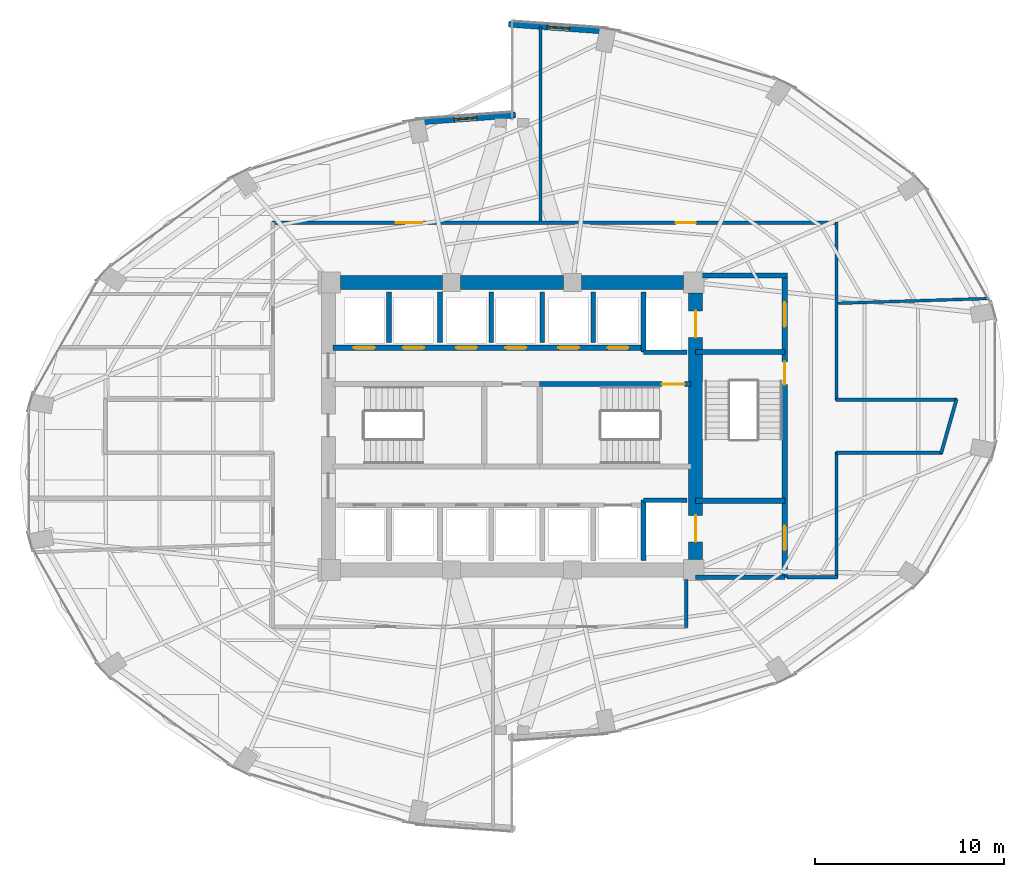
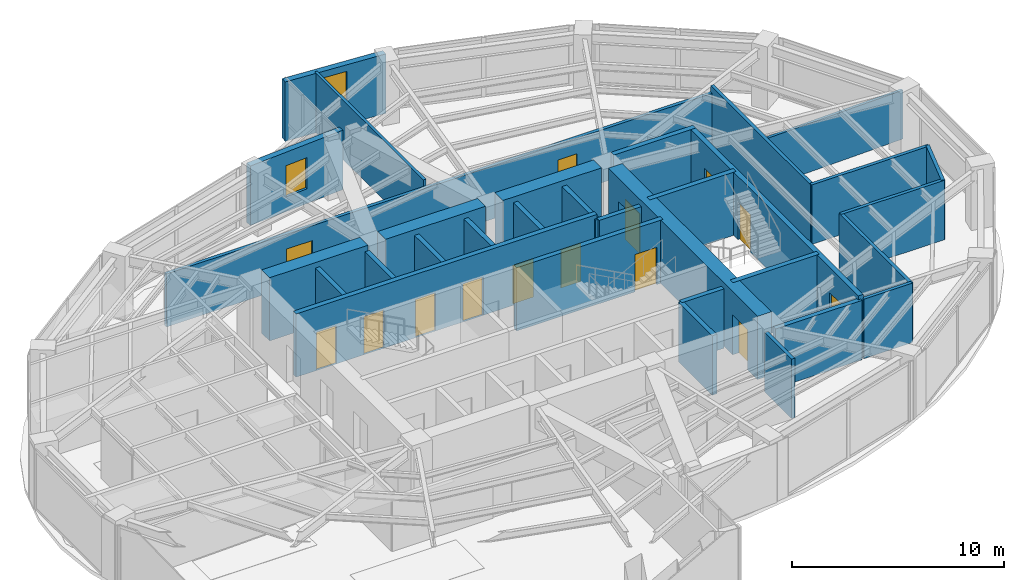
# One storey, part 21 of 24: 32 walls, 14 doors, 2 windows, 16 openings.
"""IFC4 building model written with IfcOpenShell, lengths in metres."""

from ifc_helpers import new_model, si_unit, direction, frame, frame_2d, origin, place, context, subcontext, project, spatial, rectangle, extrude, material, layer, layer_set, type_object, element, fill, save


model = new_model("IFC4")

# Units and contexts
model_context = context("Model", 3, precision=1e-05, world=origin(), true_north=direction((0.0, 1.0)))
body_context = subcontext(model_context, "Body", "Model", "MODEL_VIEW")
ifc_project = project(units=[si_unit("LENGTHUNIT", "METRE"), si_unit("AREAUNIT", "SQUARE_METRE"), si_unit("VOLUMEUNIT", "CUBIC_METRE"), si_unit("PLANEANGLEUNIT", "RADIAN"), si_unit("MASSUNIT", "GRAM", prefix="KILO")], contexts=[model_context])

# Site, building, storey
site_placement = place(None, origin())
site = spatial("IfcSite", under=ifc_project, at=site_placement, CompositionType="ELEMENT")
building_placement = place(site_placement, origin())
building = spatial("IfcBuilding", under=site, at=building_placement, Name="Lazwardi Medical Tower", CompositionType="ELEMENT")
storey_placement = place(building_placement, frame((0.0, 0.0, 99.98388671875)))
storey = spatial("IfcBuildingStorey", under=building, at=storey_placement, Name="L25", CompositionType="ELEMENT", Elevation=99.98388671875)

# Wall, openings, doors
ifc_material_1 = material(Name="Fire-rated gypsum board on steel stud", Category="steel")
ifc_layer_1 = layer(ifc_material_1, 0.179931640625)
ifc_layer_set_1 = layer_set([ifc_layer_1], Name="Fire-rated gypsum board on steel stud")
wall_type_1 = type_object("IfcWallType", Name="WL-COR-180", PredefinedType="PARTITIONING", material=ifc_layer_set_1)
wall_1_placement = place(storey_placement, frame((23.31005859375, 38.75, 0.0), z_axis=(0.0, 0.0, 1.0), x_axis=(1.0, 0.0, 0.0)))
wall_1 = element("IfcWall", 1, at=wall_1_placement, inside=storey, type_object=wall_type_1, Name="L25 Corridor partition 4", PredefinedType="PARTITIONING", context=body_context, shape_type="SweptSolid", body=[
    extrude(rectangle(XDim=29.8798828125, YDim=0.179931640625, at=frame_2d((14.93994140625, 0.0))), origin(), (0.0, 0.0, 1.0), 3.05322265625),
])
opening_1_placement = place(wall_1_placement, frame((21.35107421875, 0.0, 0.0)))
opening_1 = element("IfcOpeningElement", 2, at=opening_1_placement, cuts=wall_1, Name="Opening D-L25-009", PredefinedType="OPENING", context=body_context, shape_type="SweptSolid", body=[
    extrude(rectangle(XDim=1.050048828125, YDim=2.14990234375, at=frame_2d((0.52490234375, 1.074951171875))), frame((0.0, 0.099853515625, 0.0), z_axis=(0.0, -1.0, 0.0), x_axis=(1.0, 0.0, 0.0)), (0.0, 0.0, 1.0), 0.199951171875),
])
opening_2_placement = place(wall_1_placement, frame((6.553955078125, 0.0, 0.0)))
opening_2 = element("IfcOpeningElement", 3, at=opening_2_placement, cuts=wall_1, Name="Opening D-L25-010", PredefinedType="OPENING", context=body_context, shape_type="SweptSolid", body=[
    extrude(rectangle(XDim=1.39990234375, YDim=2.199951171875, at=frame_2d((0.699951171875, 1.10009765625))), frame((0.0, 0.099853515625, 0.0), z_axis=(0.0, -1.0, 0.0), x_axis=(1.0, 0.0, 0.0)), (0.0, 0.0, 1.0), 0.199951171875),
])
ifc_material_2 = material(Name="Anti-microbial laminate hospital leaf")
door_type_1 = type_object("IfcDoorType", Name="DR-BED-1400", OperationType="NOTDEFINED", PredefinedType="DOOR", material=ifc_material_2)
door_1_placement = place(opening_2_placement, origin())
door_1 = element("IfcDoor", 4, at=door_1_placement, inside=storey, type_object=door_type_1, Name="L25 Inpatient Ward Door 05", OperationType="SINGLE_SWING_LEFT", OverallHeight=2.199951171875, OverallWidth=1.39990234375, PredefinedType="DOOR", context=body_context, shape_type="SweptSolid", body=[
    extrude(rectangle(XDim=1.39990234375, YDim=2.199951171875, at=frame_2d((0.699951171875, 1.10009765625))), frame((0.0, 0.02490234375, 0.0), z_axis=(0.0, -1.0, 0.0), x_axis=(1.0, 0.0, 0.0)), (0.0, 0.0, 1.0), 0.050048828125),
])
fill(opening_2, door_1)
door_type_2 = type_object("IfcDoorType", Name="DR-CLN-1050", OperationType="NOTDEFINED", PredefinedType="DOOR", material=ifc_material_2)
door_2_placement = place(opening_1_placement, origin())
door_2 = element("IfcDoor", 5, at=door_2_placement, inside=storey, type_object=door_type_2, Name="L25 Medical Duty Staff Room Door 04", OperationType="SINGLE_SWING_RIGHT", OverallHeight=2.14990234375, OverallWidth=1.050048828125, PredefinedType="DOOR", context=body_context, shape_type="SweptSolid", body=[
    extrude(rectangle(XDim=1.050048828125, YDim=2.14990234375, at=frame_2d((0.52490234375, 1.074951171875))), frame((0.0, 0.02490234375, 0.0), z_axis=(0.0, -1.0, 0.0), x_axis=(1.0, 0.0, 0.0)), (0.0, 0.0, 1.0), 0.050048828125),
])
fill(opening_1, door_2)

# Walls
wall_2_placement = place(storey_placement, frame((53.14990234375, 38.7900390625, 0.0), z_axis=(0.0, 0.0, 1.0), x_axis=(0.0, -1.0, 0.0)))
element("IfcWall", 6, at=wall_2_placement, inside=storey, type_object=wall_type_1, Name="L25 Corridor partition 5", PredefinedType="PARTITIONING", context=body_context, shape_type="SweptSolid", body=[
    extrude(rectangle(XDim=9.429931640625, YDim=0.179931640625, at=frame_2d((4.71484375, 0.0))), origin(), (0.0, 0.0, 1.0), 3.42822265625),
])
wall_3_placement = place(storey_placement, frame((53.110107421875, 29.39990234375, 0.0), z_axis=(0.0, 0.0, 1.0), x_axis=(1.0, 0.0, 0.0)))
element("IfcWall", 7, at=wall_3_placement, inside=storey, type_object=wall_type_1, Name="L25 Corridor partition 6", PredefinedType="PARTITIONING", context=body_context, shape_type="SweptSolid", body=[
    extrude(rectangle(XDim=6.41259765625, YDim=0.179931640625, at=frame_2d((3.206298828125, 0.0))), origin(), (0.0, 0.0, 1.0), 3.42822265625),
])
wall_4_placement = place(storey_placement, frame((59.49365234375, 29.4384765625, 0.0), z_axis=(0.0, 0.0, 1.0), x_axis=(-0.273222154729, -0.961950962453, 0.0)))
element("IfcWall", 8, at=wall_4_placement, inside=storey, type_object=wall_type_1, Name="L25 Corridor partition 7", PredefinedType="PARTITIONING", context=body_context, shape_type="SweptSolid", body=[
    extrude(rectangle(XDim=2.99072265625, YDim=0.179931640625, at=frame_2d((1.495361328125, 0.0))), origin(), (0.0, 0.0, 1.0), 3.42822265625),
])
wall_5_placement = place(storey_placement, frame((58.727294921875, 26.60009765625, 0.0), z_axis=(0.0, 0.0, 1.0), x_axis=(-1.0, 0.0, 0.0)))
element("IfcWall", 9, at=wall_5_placement, inside=storey, type_object=wall_type_1, Name="L25 Corridor partition 8", PredefinedType="PARTITIONING", context=body_context, shape_type="SweptSolid", body=[
    extrude(rectangle(XDim=5.6171875, YDim=0.179931640625, at=frame_2d((2.80859375, 0.0))), origin(), (0.0, 0.0, 1.0), 3.42822265625),
])
wall_6_placement = place(storey_placement, frame((53.14990234375, 26.639892578125, 0.0), z_axis=(0.0, 0.0, 1.0), x_axis=(0.0, -1.0, 0.0)))
element("IfcWall", 10, at=wall_6_placement, inside=storey, type_object=wall_type_1, Name="L25 Corridor partition 9", PredefinedType="PARTITIONING", context=body_context, shape_type="SweptSolid", body=[
    extrude(rectangle(XDim=6.659912109375, YDim=0.179931640625, at=frame_2d((3.330078125, 0.0))), origin(), (0.0, 0.0, 1.0), 3.42822265625),
])
wall_7_placement = place(storey_placement, frame((53.18994140625, 20.02001953125, 0.0), z_axis=(0.0, 0.0, 1.0), x_axis=(-1.0, 0.0, 0.0)))
element("IfcWall", 11, at=wall_7_placement, inside=storey, type_object=wall_type_1, Name="L25 Corridor partition 10", PredefinedType="PARTITIONING", context=body_context, shape_type="SweptSolid", body=[
    extrude(rectangle(XDim=2.64990234375, YDim=0.179931640625, at=frame_2d((1.324951171875, 0.0))), origin(), (0.0, 0.0, 1.0), 3.42822265625),
])
wall_8_placement = place(storey_placement, frame((45.199951171875, 19.909912109375, 0.0), z_axis=(0.0, 0.0, 1.0), x_axis=(0.0, -1.0, 0.0)))
element("IfcWall", 12, at=wall_8_placement, inside=storey, type_object=wall_type_1, Name="L25 Corridor partition 13", PredefinedType="PARTITIONING", context=body_context, shape_type="SweptSolid", body=[
    extrude(rectangle(XDim=2.5498046875, YDim=0.179931640625, at=frame_2d((1.27490234375, 0.0))), origin(), (0.0, 0.0, 1.0), 3.42822265625),
])

# Wall, openings, doors
ifc_material_3 = material(Name="Concrete C70/85", Category="concrete")
ifc_layer_2 = layer(ifc_material_3, 0.75)
ifc_layer_set_2 = layer_set([ifc_layer_2], Name="Concrete C70/85")
wall_type_2 = type_object("IfcWallType", Name="WL-CORE-750", PredefinedType="SHEAR", material=ifc_layer_set_2)
wall_9_placement = place(storey_placement, frame((45.699951171875, 20.949951171875, 0.0), z_axis=(0.0, 0.0, 1.0), x_axis=(0.0, 1.0, 0.0)))
wall_9 = element("IfcWall", 13, at=wall_9_placement, inside=storey, type_object=wall_type_2, Name="Core wall CW-S2 east L25", PredefinedType="SHEAR", context=body_context, shape_type="SweptSolid", body=[
    extrude(rectangle(XDim=14.10009765625, YDim=0.75, at=frame_2d((7.050048828125, 0.0))), origin(), (0.0, 0.0, 1.0), 3.648193359375),
])
opening_3_placement = place(wall_9_placement, frame((11.75, 0.0, 0.0)))
opening_3 = element("IfcOpeningElement", 14, at=opening_3_placement, cuts=wall_9, Name="Opening LD-L25-001", PredefinedType="OPENING", context=body_context, shape_type="SweptSolid", body=[
    extrude(rectangle(XDim=1.39990234375, YDim=2.300048828125, at=frame_2d((0.699951171875, 1.14990234375))), frame((0.0, 0.385009765625, 0.0), z_axis=(0.0, -1.0, 0.0), x_axis=(1.0, 0.0, 0.0)), (0.0, 0.0, 1.0), 0.77001953125),
])
opening_4_placement = place(wall_9_placement, frame((0.949951171875, 0.0, 0.0)))
opening_4 = element("IfcOpeningElement", 15, at=opening_4_placement, cuts=wall_9, Name="Opening LD-L25-002", PredefinedType="OPENING", context=body_context, shape_type="SweptSolid", body=[
    extrude(rectangle(XDim=1.39990234375, YDim=2.300048828125, at=frame_2d((0.699951171875, 1.14990234375))), frame((0.0, 0.385009765625, 0.0), z_axis=(0.0, -1.0, 0.0), x_axis=(1.0, 0.0, 0.0)), (0.0, 0.0, 1.0), 0.77001953125),
])
ifc_material_4 = material(Name="Brushed stainless steel bed-lift landing door", Category="steel")
door_type_3 = type_object("IfcDoorType", Name="DR-LFT-1400", OperationType="NOTDEFINED", PredefinedType="DOOR", material=ifc_material_4)
door_3_placement = place(opening_3_placement, origin())
door_3 = element("IfcDoor", 16, at=door_3_placement, inside=storey, type_object=door_type_3, Name="L25 Lift Landing Door FL-01", OperationType="SLIDING_TO_LEFT", OverallHeight=2.300048828125, OverallWidth=1.39990234375, PredefinedType="DOOR", context=body_context, shape_type="SweptSolid", body=[
    extrude(rectangle(XDim=1.39990234375, YDim=2.300048828125, at=frame_2d((0.699951171875, 1.14990234375))), frame((0.0, 0.02490234375, 0.0), z_axis=(0.0, -1.0, 0.0), x_axis=(1.0, 0.0, 0.0)), (0.0, 0.0, 1.0), 0.050048828125),
])
fill(opening_3, door_3)
door_4_placement = place(opening_4_placement, origin())
door_4 = element("IfcDoor", 17, at=door_4_placement, inside=storey, type_object=door_type_3, Name="L25 Lift Landing Door FL-02", OperationType="SLIDING_TO_LEFT", OverallHeight=2.300048828125, OverallWidth=1.39990234375, PredefinedType="DOOR", context=body_context, shape_type="SweptSolid", body=[
    extrude(rectangle(XDim=1.39990234375, YDim=2.300048828125, at=frame_2d((0.699951171875, 1.14990234375))), frame((0.0, 0.02490234375, 0.0), z_axis=(0.0, -1.0, 0.0), x_axis=(1.0, 0.0, 0.0)), (0.0, 0.0, 1.0), 0.050048828125),
])
fill(opening_4, door_4)

# Walls
wall_10_placement = place(storey_placement, frame((26.949951171875, 35.60009765625, 0.0), z_axis=(0.0, 0.0, 1.0), x_axis=(1.0, 0.0, 0.0)))
element("IfcWall", 18, at=wall_10_placement, inside=storey, type_object=wall_type_2, Name="Core wall CW-S2 N1 L25", PredefinedType="SHEAR", context=body_context, shape_type="SweptSolid", body=[
    extrude(rectangle(XDim=5.375, YDim=0.75, at=frame_2d((2.6875, 0.0))), origin(), (0.0, 0.0, 1.0), 3.648193359375),
])
wall_11_placement = place(storey_placement, frame((33.27490234375, 35.60009765625, 0.0), z_axis=(0.0, 0.0, 1.0), x_axis=(1.0, 0.0, 0.0)))
element("IfcWall", 19, at=wall_11_placement, inside=storey, type_object=wall_type_2, Name="Core wall CW-S2 N2 L25", PredefinedType="SHEAR", context=body_context, shape_type="SweptSolid", body=[
    extrude(rectangle(XDim=5.4501953125, YDim=0.75, at=frame_2d((2.72509765625, 0.0))), origin(), (0.0, 0.0, 1.0), 3.648193359375),
])
wall_12_placement = place(storey_placement, frame((39.675048828125, 35.60009765625, 0.0), z_axis=(0.0, 0.0, 1.0), x_axis=(1.0, 0.0, 0.0)))
element("IfcWall", 20, at=wall_12_placement, inside=storey, type_object=wall_type_2, Name="Core wall CW-S2 N3 L25", PredefinedType="SHEAR", context=body_context, shape_type="SweptSolid", body=[
    extrude(rectangle(XDim=5.375, YDim=0.75, at=frame_2d((2.6875, 0.0))), origin(), (0.0, 0.0, 1.0), 3.648193359375),
])

# Wall, opening, window
ifc_material_5 = material(Name="Precast concrete C45/55", Category="concrete")
ifc_layer_3 = layer(ifc_material_5, 0.320068359375)
ifc_layer_set_3 = layer_set([ifc_layer_3], Name="Precast concrete C45/55")
wall_type_3 = type_object("IfcWallType", Name="WL-IWAN-320", PredefinedType="SOLIDWALL", material=ifc_layer_set_3)
wall_13_placement = place(storey_placement, frame((41.091064453125, 48.87451171875, 0.0), z_axis=(0.0, 0.0, 1.0), x_axis=(-0.997432364291, 0.071614793619, 0.0)))
wall_13 = element("IfcWall", 21, at=wall_13_placement, inside=storey, type_object=wall_type_3, Name="L25 Iwan Portal Return Wall NE_ret", PredefinedType="SOLIDWALL", context=body_context, shape_type="SweptSolid", body=[
    extrude(rectangle(XDim=5.2841796875, YDim=0.320068359375, at=frame_2d((2.64208984375, 0.0))), origin(), (0.0, 0.0, 1.0), 3.42822265625),
])
opening_5_placement = place(wall_13_placement, frame((2.0419921875, 0.0, 0.85009765625)))
opening_5 = element("IfcOpeningElement", 22, at=opening_5_placement, cuts=wall_13, Name="Opening WN-01", PredefinedType="OPENING", context=body_context, shape_type="SweptSolid", body=[
    extrude(rectangle(XDim=1.199951171875, YDim=2.199951171875, at=frame_2d((0.60009765625, 1.10009765625))), frame((0.0, 0.169921875, 0.0), z_axis=(0.0, -1.0, 0.0), x_axis=(1.0, 0.0, 0.0)), (0.0, 0.0, 1.0), 0.340087890625),
])
ifc_material_6 = material(Name="Low-e bronze solar control double glazing", Category="glass")
window_type_1 = type_object("IfcWindowType", Name="WIN-IW-1200", PartitioningType="SINGLE_PANEL", PredefinedType="WINDOW", material=ifc_material_6)
window_1_placement = place(opening_5_placement, origin())
window_1 = element("IfcWindow", 23, at=window_1_placement, inside=storey, type_object=window_type_1, Name="L25 Iwan Slot Window NE_ret", OverallHeight=2.199951171875, OverallWidth=1.199951171875, PartitioningType="SINGLE_PANEL", PredefinedType="WINDOW", context=body_context, shape_type="SweptSolid", body=[
    extrude(rectangle(XDim=1.199951171875, YDim=2.199951171875, at=frame_2d((0.60009765625, 1.10009765625))), frame((0.0, 0.030029296875, 0.0), z_axis=(0.0, -1.0, 0.0), x_axis=(1.0, 0.0, 0.0)), (0.0, 0.0, 1.0), 0.06005859375),
])
fill(opening_5, window_1)

wall_14_placement = place(storey_placement, frame((36.178955078125, 44.452880859375, 0.0), z_axis=(0.0, 0.0, 1.0), x_axis=(-0.997431890304, -0.071621394884, 0.0)))
wall_14 = element("IfcWall", 24, at=wall_14_placement, inside=storey, type_object=wall_type_3, Name="L25 Iwan Portal Return Wall NW_ret", PredefinedType="SOLIDWALL", context=body_context, shape_type="SweptSolid", body=[
    extrude(rectangle(XDim=5.28369140625, YDim=0.320068359375, at=frame_2d((2.641845703125, 0.0))), origin(), (0.0, 0.0, 1.0), 3.42822265625),
])
opening_6_placement = place(wall_14_placement, frame((2.041748046875, 0.0, 0.85009765625)))
opening_6 = element("IfcOpeningElement", 25, at=opening_6_placement, cuts=wall_14, Name="Opening WN-04", PredefinedType="OPENING", context=body_context, shape_type="SweptSolid", body=[
    extrude(rectangle(XDim=1.199951171875, YDim=1.800048828125, at=frame_2d((0.60009765625, 0.89990234375))), frame((0.0, 0.169921875, 0.0), z_axis=(0.0, -1.0, 0.0), x_axis=(1.0, 0.0, 0.0)), (0.0, 0.0, 1.0), 0.340087890625),
])
window_type_2 = type_object("IfcWindowType", Name="WIN-DRUM-1200", PartitioningType="SINGLE_PANEL", PredefinedType="WINDOW", material=ifc_material_6)
window_2_placement = place(opening_6_placement, origin())
window_2 = element("IfcWindow", 26, at=window_2_placement, inside=storey, type_object=window_type_2, Name="L25 Iwan Slot Window NW_ret", OverallHeight=1.800048828125, OverallWidth=1.199951171875, PartitioningType="SINGLE_PANEL", PredefinedType="WINDOW", context=body_context, shape_type="SweptSolid", body=[
    extrude(rectangle(XDim=1.199951171875, YDim=1.800048828125, at=frame_2d((0.60009765625, 0.89990234375))), frame((0.0, 0.030029296875, 0.0), z_axis=(0.0, -1.0, 0.0), x_axis=(1.0, 0.0, 0.0)), (0.0, 0.0, 1.0), 0.06005859375),
])
fill(opening_6, window_2)

# Walls
ifc_material_7 = material(Name="Autoclaved aerated concrete blockwork", Category="masonry")
ifc_layer_4 = layer(ifc_material_7, 0.25)
ifc_layer_set_4 = layer_set([ifc_layer_4], Name="Autoclaved aerated concrete blockwork")
wall_type_4 = type_object("IfcWallType", Name="WL-SHAFT-250", PredefinedType="SOLIDWALL", material=ifc_layer_set_4)
wall_15_placement = place(storey_placement, frame((42.949951171875, 31.919921875, 0.0), z_axis=(0.0, 0.0, 1.0), x_axis=(0.0, 1.0, 0.0)))
element("IfcWall", 27, at=wall_15_placement, inside=storey, type_object=wall_type_4, Name="L25 FL-01 West shaft wall", PredefinedType="SOLIDWALL", context=body_context, shape_type="SweptSolid", body=[
    extrude(rectangle(XDim=3.18017578125, YDim=0.25, at=frame_2d((1.590087890625, 0.0))), origin(), (0.0, 0.0, 1.0), 3.42822265625),
])
wall_16_placement = place(storey_placement, frame((42.949951171875, 31.919921875, 0.0), z_axis=(0.0, 0.0, 1.0), x_axis=(1.0, 0.0, 0.0)))
element("IfcWall", 28, at=wall_16_placement, inside=storey, type_object=wall_type_4, Name="L25 FL-01 South shaft wall", PredefinedType="SOLIDWALL", context=body_context, shape_type="SweptSolid", body=[
    extrude(rectangle(XDim=2.300048828125, YDim=0.25, at=frame_2d((1.14990234375, 0.0))), origin(), (0.0, 0.0, 1.0), 3.42822265625),
])
wall_17_placement = place(storey_placement, frame((42.949951171875, 20.89990234375, 0.0), z_axis=(0.0, 0.0, 1.0), x_axis=(0.0, 1.0, 0.0)))
element("IfcWall", 29, at=wall_17_placement, inside=storey, type_object=wall_type_4, Name="L25 FL-02 West shaft wall", PredefinedType="SOLIDWALL", context=body_context, shape_type="SweptSolid", body=[
    extrude(rectangle(XDim=3.2001953125, YDim=0.25, at=frame_2d((1.60009765625, 0.0))), origin(), (0.0, 0.0, 1.0), 3.42822265625),
])
wall_18_placement = place(storey_placement, frame((42.949951171875, 24.10009765625, 0.0), z_axis=(0.0, 0.0, 1.0), x_axis=(1.0, 0.0, 0.0)))
element("IfcWall", 30, at=wall_18_placement, inside=storey, type_object=wall_type_4, Name="L25 FL-02 North shaft wall", PredefinedType="SOLIDWALL", context=body_context, shape_type="SweptSolid", body=[
    extrude(rectangle(XDim=2.300048828125, YDim=0.25, at=frame_2d((1.14990234375, 0.0))), origin(), (0.0, 0.0, 1.0), 3.42822265625),
])
for number, where, z_axis, x_axis, name in (
    (31, (29.5, 32.419921875, 0.0), (0.0, 0.0, 1.0), (0.0, 1.0, 0.0), "L25 North hoistway divider"),
    (32, (32.199951171875, 32.419921875, 0.0), (0.0, 0.0, 1.0), (0.0, 1.0, 0.0), "L25 North hoistway divider"),
    (33, (34.89990234375, 32.419921875, 0.0), (0.0, 0.0, 1.0), (0.0, 1.0, 0.0), "L25 North hoistway divider"),
    (34, (37.60009765625, 32.419921875, 0.0), (0.0, 0.0, 1.0), (0.0, 1.0, 0.0), "L25 North hoistway divider"),
    (35, (40.300048828125, 32.419921875, 0.0), (0.0, 0.0, 1.0), (0.0, 1.0, 0.0), "L25 North hoistway divider"),
):
    element("IfcWall", number, at=place(storey_placement, frame(where, z_axis=z_axis, x_axis=x_axis)), inside=storey, type_object=wall_type_4, Name=name, PredefinedType="SOLIDWALL", context=body_context, shape_type="SweptSolid", body=[
        extrude(rectangle(XDim=2.68017578125, YDim=0.25, at=frame_2d((1.340087890625, 0.0))), origin(), (0.0, 0.0, 1.0), 3.42822265625),
    ])
wall_19_placement = place(storey_placement, frame((45.699951171875, 20.02001953125, 0.0), z_axis=(0.0, 0.0, 1.0), x_axis=(1.0, 0.0, 0.0)))
element("IfcWall", 36, at=wall_19_placement, inside=storey, type_object=wall_type_4, Name="L25 FFL-S South wall", PredefinedType="SOLIDWALL", context=body_context, shape_type="SweptSolid", body=[
    extrude(rectangle(XDim=4.715087890625, YDim=0.25, at=frame_2d((2.357421875, 0.0))), origin(), (0.0, 0.0, 1.0), 3.42822265625),
])

# Wall, opening, door
ifc_material_8 = material(Name="Concrete C50/60", Category="concrete")
ifc_layer_5 = layer(ifc_material_8, 0.27001953125)
ifc_layer_set_5 = layer_set([ifc_layer_5], Name="Concrete C50/60")
wall_type_5 = type_object("IfcWallType", Name="WL-STR-250", PredefinedType="SHEAR", material=ifc_layer_set_5)
wall_20_placement = place(storey_placement, frame((37.465087890625, 30.235107421875, 0.0), z_axis=(0.0, 0.0, 1.0), x_axis=(1.0, 0.0, 0.0)))
wall_20 = element("IfcWall", 37, at=wall_20_placement, inside=storey, type_object=wall_type_5, Name="L25 ST2 North shear shaft wall SW-S1", PredefinedType="SHEAR", context=body_context, shape_type="SweptSolid", body=[
    extrude(rectangle(XDim=7.98486328125, YDim=0.27001953125, at=frame_2d((3.992431640625, 0.0))), origin(), (0.0, 0.0, 1.0), 3.648193359375),
])
opening_7_placement = place(wall_20_placement, frame((6.455078125, 0.0, 0.0)))
opening_7 = element("IfcOpeningElement", 38, at=opening_7_placement, cuts=wall_20, Name="Opening D-L25-014", PredefinedType="OPENING", context=body_context, shape_type="SweptSolid", body=[
    extrude(rectangle(XDim=1.199951171875, YDim=2.14990234375, at=frame_2d((0.60009765625, 1.074951171875))), frame((0.0, 0.14501953125, 0.0), z_axis=(0.0, -1.0, 0.0), x_axis=(1.0, 0.0, 0.0)), (0.0, 0.0, 1.0), 0.2900390625),
])
ifc_material_9 = material(Name="Fire-rated steel leaf and frame", Category="steel")
door_type_4 = type_object("IfcDoorType", Name="DR-STR-1200", OperationType="NOTDEFINED", PredefinedType="DOOR", material=ifc_material_9)
door_5_placement = place(opening_7_placement, origin())
door_5 = element("IfcDoor", 39, at=door_5_placement, inside=storey, type_object=door_type_4, Name="L25 Exit Stair ST2 Door", OperationType="SINGLE_SWING_RIGHT", OverallHeight=2.14990234375, OverallWidth=1.199951171875, PredefinedType="DOOR", context=body_context, shape_type="SweptSolid", body=[
    extrude(rectangle(XDim=1.199951171875, YDim=2.14990234375, at=frame_2d((0.60009765625, 1.074951171875))), frame((0.0, 0.02490234375, 0.0), z_axis=(0.0, -1.0, 0.0), x_axis=(1.0, 0.0, 0.0)), (0.0, 0.0, 1.0), 0.050048828125),
])
fill(opening_7, door_5)

# Wall, openings, doors
wall_21_placement = place(storey_placement, frame((26.550048828125, 32.14990234375, 0.0), z_axis=(0.0, 0.0, 1.0), x_axis=(1.0, 0.0, 0.0)))
wall_21 = element("IfcWall", 40, at=wall_21_placement, inside=storey, type_object=wall_type_5, Name="L25 North lift bank shear wall SW-S1", PredefinedType="SHEAR", context=body_context, shape_type="SweptSolid", body=[
    extrude(rectangle(XDim=16.39990234375, YDim=0.27001953125, at=frame_2d((8.199951171875, 0.0))), origin(), (0.0, 0.0, 1.0), 3.648193359375),
])
opening_8_placement = place(wall_21_placement, frame((1.10009765625, 0.0, 0.0)))
opening_8 = element("IfcOpeningElement", 41, at=opening_8_placement, cuts=wall_21, Name="Opening LD-L25-004", PredefinedType="OPENING", context=body_context, shape_type="SweptSolid", body=[
    extrude(rectangle(XDim=1.10009765625, YDim=2.199951171875, at=frame_2d((0.550048828125, 1.10009765625))), frame((0.0, 0.14501953125, 0.0), z_axis=(0.0, -1.0, 0.0), x_axis=(1.0, 0.0, 0.0)), (0.0, 0.0, 1.0), 0.2900390625),
])
opening_9_placement = place(wall_21_placement, frame((3.699951171875, 0.0, 0.0)))
opening_9 = element("IfcOpeningElement", 42, at=opening_9_placement, cuts=wall_21, Name="Opening LD-L25-005", PredefinedType="OPENING", context=body_context, shape_type="SweptSolid", body=[
    extrude(rectangle(XDim=1.10009765625, YDim=2.199951171875, at=frame_2d((0.550048828125, 1.10009765625))), frame((0.0, 0.14501953125, 0.0), z_axis=(0.0, -1.0, 0.0), x_axis=(1.0, 0.0, 0.0)), (0.0, 0.0, 1.0), 0.2900390625),
])
opening_10_placement = place(wall_21_placement, frame((6.5, 0.0, 0.0)))
opening_10 = element("IfcOpeningElement", 43, at=opening_10_placement, cuts=wall_21, Name="Opening LD-L25-008", PredefinedType="OPENING", context=body_context, shape_type="SweptSolid", body=[
    extrude(rectangle(XDim=1.10009765625, YDim=2.199951171875, at=frame_2d((0.550048828125, 1.10009765625))), frame((0.0, 0.14501953125, 0.0), z_axis=(0.0, -1.0, 0.0), x_axis=(1.0, 0.0, 0.0)), (0.0, 0.0, 1.0), 0.2900390625),
])
opening_11_placement = place(wall_21_placement, frame((9.10009765625, 0.0, 0.0)))
opening_11 = element("IfcOpeningElement", 44, at=opening_11_placement, cuts=wall_21, Name="Opening LD-L25-009", PredefinedType="OPENING", context=body_context, shape_type="SweptSolid", body=[
    extrude(rectangle(XDim=1.10009765625, YDim=2.199951171875, at=frame_2d((0.550048828125, 1.10009765625))), frame((0.0, 0.14501953125, 0.0), z_axis=(0.0, -1.0, 0.0), x_axis=(1.0, 0.0, 0.0)), (0.0, 0.0, 1.0), 0.2900390625),
])
opening_12_placement = place(wall_21_placement, frame((11.89990234375, 0.0, 0.0)))
opening_12 = element("IfcOpeningElement", 45, at=opening_12_placement, cuts=wall_21, Name="Opening LD-L25-012", PredefinedType="OPENING", context=body_context, shape_type="SweptSolid", body=[
    extrude(rectangle(XDim=1.10009765625, YDim=2.199951171875, at=frame_2d((0.550048828125, 1.10009765625))), frame((0.0, 0.14501953125, 0.0), z_axis=(0.0, -1.0, 0.0), x_axis=(1.0, 0.0, 0.0)), (0.0, 0.0, 1.0), 0.2900390625),
])
opening_13_placement = place(wall_21_placement, frame((14.5, 0.0, 0.0)))
opening_13 = element("IfcOpeningElement", 46, at=opening_13_placement, cuts=wall_21, Name="Opening LD-L25-013", PredefinedType="OPENING", context=body_context, shape_type="SweptSolid", body=[
    extrude(rectangle(XDim=1.10009765625, YDim=2.199951171875, at=frame_2d((0.550048828125, 1.10009765625))), frame((0.0, 0.14501953125, 0.0), z_axis=(0.0, -1.0, 0.0), x_axis=(1.0, 0.0, 0.0)), (0.0, 0.0, 1.0), 0.2900390625),
])
ifc_material_10 = material(Name="Brushed bronze stainless steel landing door", Category="steel")
door_type_5 = type_object("IfcDoorType", Name="DR-LFT-1100", OperationType="NOTDEFINED", PredefinedType="DOOR", material=ifc_material_10)
door_6_placement = place(opening_8_placement, origin())
door_6 = element("IfcDoor", 47, at=door_6_placement, inside=storey, type_object=door_type_5, Name="L25 Lift Landing Door PL-01", OperationType="SLIDING_TO_LEFT", OverallHeight=2.199951171875, OverallWidth=1.10009765625, PredefinedType="DOOR", context=body_context, shape_type="SweptSolid", body=[
    extrude(rectangle(XDim=1.10009765625, YDim=2.199951171875, at=frame_2d((0.550048828125, 1.10009765625))), frame((0.0, 0.02490234375, 0.0), z_axis=(0.0, -1.0, 0.0), x_axis=(1.0, 0.0, 0.0)), (0.0, 0.0, 1.0), 0.050048828125),
])
fill(opening_8, door_6)
door_7_placement = place(opening_9_placement, origin())
door_7 = element("IfcDoor", 48, at=door_7_placement, inside=storey, type_object=door_type_5, Name="L25 Lift Landing Door PL-02", OperationType="SLIDING_TO_LEFT", OverallHeight=2.199951171875, OverallWidth=1.10009765625, PredefinedType="DOOR", context=body_context, shape_type="SweptSolid", body=[
    extrude(rectangle(XDim=1.10009765625, YDim=2.199951171875, at=frame_2d((0.550048828125, 1.10009765625))), frame((0.0, 0.02490234375, 0.0), z_axis=(0.0, -1.0, 0.0), x_axis=(1.0, 0.0, 0.0)), (0.0, 0.0, 1.0), 0.050048828125),
])
fill(opening_9, door_7)
door_8_placement = place(opening_10_placement, origin())
door_8 = element("IfcDoor", 49, at=door_8_placement, inside=storey, type_object=door_type_5, Name="L25 Lift Landing Door PL-05", OperationType="SLIDING_TO_LEFT", OverallHeight=2.199951171875, OverallWidth=1.10009765625, PredefinedType="DOOR", context=body_context, shape_type="SweptSolid", body=[
    extrude(rectangle(XDim=1.10009765625, YDim=2.199951171875, at=frame_2d((0.550048828125, 1.10009765625))), frame((0.0, 0.02490234375, 0.0), z_axis=(0.0, -1.0, 0.0), x_axis=(1.0, 0.0, 0.0)), (0.0, 0.0, 1.0), 0.050048828125),
])
fill(opening_10, door_8)
door_9_placement = place(opening_11_placement, origin())
door_9 = element("IfcDoor", 50, at=door_9_placement, inside=storey, type_object=door_type_5, Name="L25 Lift Landing Door PL-06", OperationType="SLIDING_TO_LEFT", OverallHeight=2.199951171875, OverallWidth=1.10009765625, PredefinedType="DOOR", context=body_context, shape_type="SweptSolid", body=[
    extrude(rectangle(XDim=1.10009765625, YDim=2.199951171875, at=frame_2d((0.550048828125, 1.10009765625))), frame((0.0, 0.02490234375, 0.0), z_axis=(0.0, -1.0, 0.0), x_axis=(1.0, 0.0, 0.0)), (0.0, 0.0, 1.0), 0.050048828125),
])
fill(opening_11, door_9)
door_10_placement = place(opening_12_placement, origin())
door_10 = element("IfcDoor", 51, at=door_10_placement, inside=storey, type_object=door_type_5, Name="L25 Lift Landing Door PL-09", OperationType="SLIDING_TO_LEFT", OverallHeight=2.199951171875, OverallWidth=1.10009765625, PredefinedType="DOOR", context=body_context, shape_type="SweptSolid", body=[
    extrude(rectangle(XDim=1.10009765625, YDim=2.199951171875, at=frame_2d((0.550048828125, 1.10009765625))), frame((0.0, 0.02490234375, 0.0), z_axis=(0.0, -1.0, 0.0), x_axis=(1.0, 0.0, 0.0)), (0.0, 0.0, 1.0), 0.050048828125),
])
fill(opening_12, door_10)
door_11_placement = place(opening_13_placement, origin())
door_11 = element("IfcDoor", 52, at=door_11_placement, inside=storey, type_object=door_type_5, Name="L25 Lift Landing Door PL-10", OperationType="SLIDING_TO_LEFT", OverallHeight=2.199951171875, OverallWidth=1.10009765625, PredefinedType="DOOR", context=body_context, shape_type="SweptSolid", body=[
    extrude(rectangle(XDim=1.10009765625, YDim=2.199951171875, at=frame_2d((0.550048828125, 1.10009765625))), frame((0.0, 0.02490234375, 0.0), z_axis=(0.0, -1.0, 0.0), x_axis=(1.0, 0.0, 0.0)), (0.0, 0.0, 1.0), 0.050048828125),
])
fill(opening_13, door_11)

wall_22_placement = place(storey_placement, frame((50.4150390625, 35.844970703125, 0.0), z_axis=(0.0, 0.0, 1.0), x_axis=(0.0, -1.0, 0.0)))
wall_22 = element("IfcWall", 53, at=wall_22_placement, inside=storey, type_object=wall_type_5, Name="L25 East ST3 & FFL shear wall SW-S1", PredefinedType="SHEAR", context=body_context, shape_type="SweptSolid", body=[
    extrude(rectangle(XDim=15.824951171875, YDim=0.27001953125, at=frame_2d((7.91259765625, 0.0))), origin(), (0.0, 0.0, 1.0), 3.648193359375),
])
opening_14_placement = place(wall_22_placement, frame((4.445068359375, 0.0, 0.0)))
opening_14 = element("IfcOpeningElement", 54, at=opening_14_placement, cuts=wall_22, Name="Opening D-L25-015", PredefinedType="OPENING", context=body_context, shape_type="SweptSolid", body=[
    extrude(rectangle(XDim=1.199951171875, YDim=2.14990234375, at=frame_2d((0.60009765625, 1.074951171875))), frame((0.0, 0.14501953125, 0.0), z_axis=(0.0, -1.0, 0.0), x_axis=(1.0, 0.0, 0.0)), (0.0, 0.0, 1.0), 0.2900390625),
])
opening_15_placement = place(wall_22_placement, frame((1.294921875, 0.0, 0.0)))
opening_15 = element("IfcOpeningElement", 55, at=opening_15_placement, cuts=wall_22, Name="Opening D-L25-002", PredefinedType="OPENING", context=body_context, shape_type="SweptSolid", body=[
    extrude(rectangle(XDim=1.300048828125, YDim=2.199951171875, at=frame_2d((0.64990234375, 1.10009765625))), frame((0.0, 0.14501953125, 0.0), z_axis=(0.0, -1.0, 0.0), x_axis=(1.0, 0.0, 0.0)), (0.0, 0.0, 1.0), 0.2900390625),
])
opening_16_placement = place(wall_22_placement, frame((13.094970703125, 0.0, 0.0)))
opening_16 = element("IfcOpeningElement", 56, at=opening_16_placement, cuts=wall_22, Name="Opening D-L25-003", PredefinedType="OPENING", context=body_context, shape_type="SweptSolid", body=[
    extrude(rectangle(XDim=1.300048828125, YDim=2.199951171875, at=frame_2d((0.64990234375, 1.10009765625))), frame((0.0, 0.14501953125, 0.0), z_axis=(0.0, -1.0, 0.0), x_axis=(1.0, 0.0, 0.0)), (0.0, 0.0, 1.0), 0.2900390625),
])
door_type_6 = type_object("IfcDoorType", Name="DR-FFL-1300", OperationType="NOTDEFINED", PredefinedType="DOOR", material=ifc_material_9)
door_12_placement = place(opening_15_placement, origin())
door_12 = element("IfcDoor", 57, at=door_12_placement, inside=storey, type_object=door_type_6, Name="L25 Fire-Fighting Lobby North Door", OperationType="SINGLE_SWING_LEFT", OverallHeight=2.199951171875, OverallWidth=1.300048828125, PredefinedType="DOOR", context=body_context, shape_type="SweptSolid", body=[
    extrude(rectangle(XDim=1.300048828125, YDim=2.199951171875, at=frame_2d((0.64990234375, 1.10009765625))), frame((0.0, 0.02490234375, 0.0), z_axis=(0.0, -1.0, 0.0), x_axis=(1.0, 0.0, 0.0)), (0.0, 0.0, 1.0), 0.050048828125),
])
fill(opening_15, door_12)
door_13_placement = place(opening_16_placement, origin())
door_13 = element("IfcDoor", 58, at=door_13_placement, inside=storey, type_object=door_type_6, Name="L25 Fire-Fighting Lobby South Door", OperationType="SINGLE_SWING_RIGHT", OverallHeight=2.199951171875, OverallWidth=1.300048828125, PredefinedType="DOOR", context=body_context, shape_type="SweptSolid", body=[
    extrude(rectangle(XDim=1.300048828125, YDim=2.199951171875, at=frame_2d((0.64990234375, 1.10009765625))), frame((0.0, 0.02490234375, 0.0), z_axis=(0.0, -1.0, 0.0), x_axis=(1.0, 0.0, 0.0)), (0.0, 0.0, 1.0), 0.050048828125),
])
fill(opening_16, door_13)
door_14_placement = place(opening_14_placement, origin())
door_14 = element("IfcDoor", 59, at=door_14_placement, inside=storey, type_object=door_type_4, Name="L25 Exit Stair ST3 Door", OperationType="SINGLE_SWING_RIGHT", OverallHeight=2.14990234375, OverallWidth=1.199951171875, PredefinedType="DOOR", context=body_context, shape_type="SweptSolid", body=[
    extrude(rectangle(XDim=1.199951171875, YDim=2.14990234375, at=frame_2d((0.60009765625, 1.074951171875))), frame((0.0, 0.02490234375, 0.0), z_axis=(0.0, -1.0, 0.0), x_axis=(1.0, 0.0, 0.0)), (0.0, 0.0, 1.0), 0.050048828125),
])
fill(opening_14, door_14)

# Walls
wall_23_placement = place(storey_placement, frame((46.074951171875, 35.97998046875, 0.0), z_axis=(0.0, 0.0, 1.0), x_axis=(1.0, 0.0, 0.0)))
element("IfcWall", 60, at=wall_23_placement, inside=storey, type_object=wall_type_5, Name="L25 FFL-N North shear wall SW-S1", PredefinedType="SHEAR", context=body_context, shape_type="SweptSolid", body=[
    extrude(rectangle(XDim=4.47509765625, YDim=0.27001953125, at=frame_2d((2.237548828125, 0.0))), origin(), (0.0, 0.0, 1.0), 3.648193359375),
])
for number, where, z_axis, x_axis, name in (
    (61, (45.699951171875, 31.93505859375, 0.0), (0.0, 0.0, 1.0), (1.0, 0.0, 0.0), "L25 ST3 North shear shaft wall SW-S1"),
    (62, (45.699951171875, 24.06494140625, 0.0), (0.0, 0.0, 1.0), (1.0, 0.0, 0.0), "L25 ST3 South shear shaft wall SW-S1"),
):
    element("IfcWall", number, at=place(storey_placement, frame(where, z_axis=z_axis, x_axis=x_axis)), inside=storey, type_object=wall_type_5, Name=name, PredefinedType="SHEAR", context=body_context, shape_type="SweptSolid", body=[
        extrude(rectangle(XDim=4.715087890625, YDim=0.27001953125, at=frame_2d((2.357421875, 0.0))), origin(), (0.0, 0.0, 1.0), 3.648193359375),
    ])
ifc_material_11 = material(Name="Acoustic gypsum board partition")
ifc_layer_6 = layer(ifc_material_11, 0.14990234375)
ifc_layer_set_6 = layer_set([ifc_layer_6], Name="Acoustic gypsum board partition")
wall_type_6 = type_object("IfcWallType", Name="WL-WRD-150", PredefinedType="PARTITIONING", material=ifc_layer_set_6)
wall_24_placement = place(storey_placement, frame((53.239990234375, 34.50244140625, 0.0), z_axis=(0.0, 0.0, 1.0), x_axis=(0.999499445349, 0.031636351679, 0.0)))
element("IfcWall", 63, at=wall_24_placement, inside=storey, type_object=wall_type_6, Name="L25 Room partition 5", PredefinedType="PARTITIONING", context=body_context, shape_type="SweptSolid", body=[
    extrude(rectangle(XDim=7.93310546875, YDim=0.14990234375, at=frame_2d((3.966552734375, 0.0))), origin(), (0.0, 0.0, 1.0), 2.813232421875),
])
wall_25_placement = place(storey_placement, frame((37.5, 38.840087890625, 0.0), z_axis=(0.0, 0.0, 1.0), x_axis=(0.0, 1.0, 0.0)))
element("IfcWall", 64, at=wall_25_placement, inside=storey, type_object=wall_type_6, Name="L25 Room partition 6", PredefinedType="PARTITIONING", context=body_context, shape_type="SweptSolid", body=[
    extrude(rectangle(XDim=10.27392578125, YDim=0.14990234375, at=frame_2d((5.136962890625, 0.0))), origin(), (0.0, 0.0, 1.0), 3.42822265625),
])

save(model, "model.ifc")
